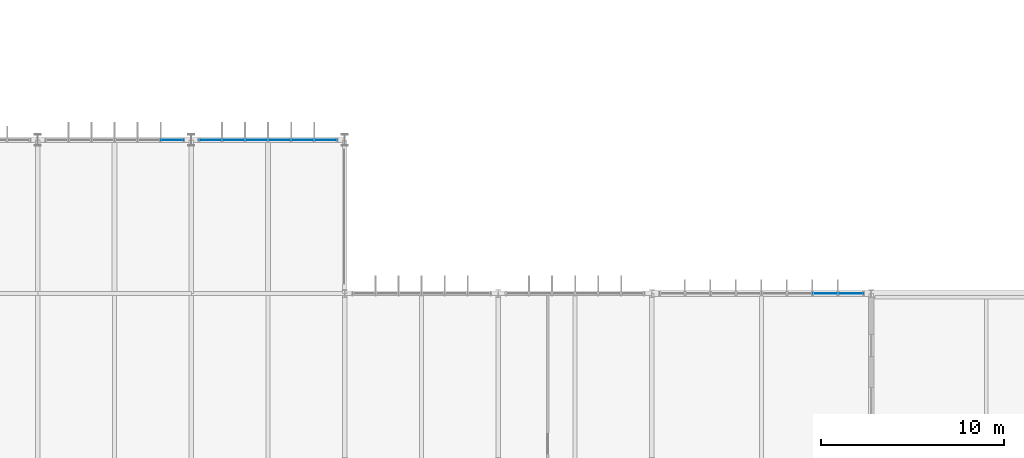
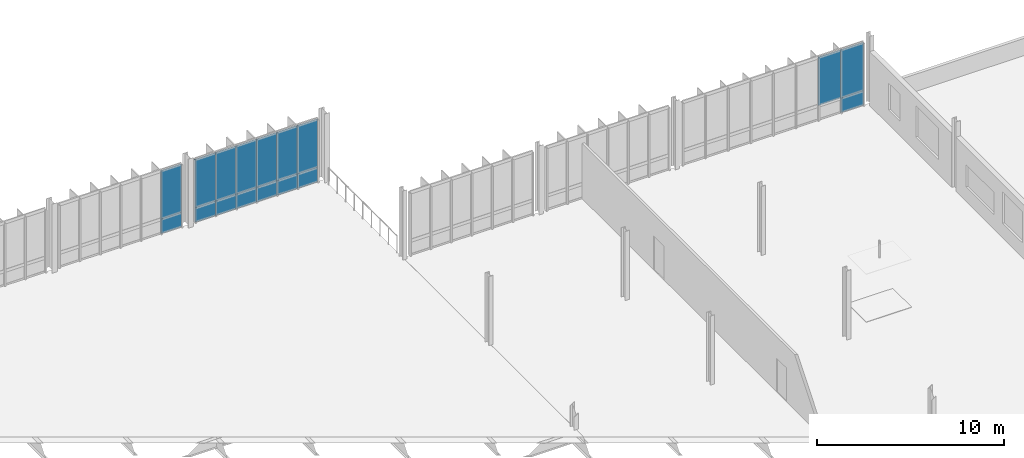
# One storey, part 95 of 139: 17 plates, 3 elements without a shape of their own.
"""IFC4 building model written with IfcOpenShell, lengths in metres."""

from ifc_helpers import new_model, si_unit, derived_unit, direction, frame, origin, origin_2d, place, context, subcontext, project, spatial, rectangle, extrude, material, layer, layer_set, type_object, element, aggregate, save


model = new_model("IFC4")

# Units and contexts
model_context = context("Model", 3, precision=1e-05, world=origin(), true_north=direction((0.0, 1.0)))
body_context = subcontext(model_context, "Body", "Model", "MODEL_VIEW")
ifc_project = project(units=[si_unit("LENGTHUNIT", "METRE"), si_unit("AREAUNIT", "SQUARE_METRE"), si_unit("VOLUMEUNIT", "CUBIC_METRE"), si_unit("PLANEANGLEUNIT", "RADIAN"), si_unit("MASSUNIT", "GRAM", prefix="KILO"), derived_unit("THERMALTRANSMITTANCEUNIT", [(si_unit("MASSUNIT", "GRAM", prefix="KILO"), 1), (si_unit("TIMEUNIT", "SECOND"), -3), (si_unit("THERMODYNAMICTEMPERATUREUNIT", "KELVIN"), -1)])], contexts=[model_context])

# Site, building, storey
site_placement = place(None, origin())
site = spatial("IfcSite", under=ifc_project, at=site_placement, CompositionType="ELEMENT")
building_placement = place(site_placement, origin())
building = spatial("IfcBuilding", under=site, at=building_placement, Name="Makaiwela Harbour Ferry Terminal", CompositionType="ELEMENT")
storey_placement = place(building_placement, frame((0.0, 0.0, 5.10009765625)))
storey = spatial("IfcBuildingStorey", under=building, at=storey_placement, Name="L01", CompositionType="ELEMENT", Elevation=5.10009765625)

# Curtain wall, plate
ifc_material_1 = material(Name="Marine anodised aluminium 6063-T6", Category="aluminium")
ifc_layer_1 = layer(ifc_material_1, 0.199951171875)
ifc_layer_set_1 = layer_set([ifc_layer_1], Name="Marine anodised aluminium 6063-T6")
curtain_wall_type_1 = type_object("IfcCurtainWallType", Name="ENV-CW-08", PredefinedType="USERDEFINED", material=ifc_layer_set_1)
curtain_wall_1_placement = place(storey_placement, origin())
curtain_wall_1 = element("IfcCurtainWall", 1, at=curtain_wall_1_placement, inside=storey, type_object=curtain_wall_type_1, Name="Unitised Curtain Wall CWA-091", ObjectType="UNITIZED CURTAIN WALL", PredefinedType="USERDEFINED")
ifc_material_2 = material(Name="Laminated hurricane-impact low-E insulated glazing", Category="glass")
ifc_layer_2 = layer(ifc_material_2, 0.031982421875)
ifc_layer_set_2 = layer_set([ifc_layer_2], Name="Laminated hurricane-impact low-E insulated glazing")
plate_type_1 = type_object("IfcPlateType", Name="CW-PNL-G12", PredefinedType="CURTAIN_PANEL", material=ifc_layer_set_2)
plate_1_placement = place(storey_placement, frame((129.14990234375, 103.39990234375, 0.949951171875), z_axis=(0.0, 0.0, 1.0), x_axis=(1.0, 0.0, 0.0)))
plate_1 = element("IfcPlate", 2, at=plate_1_placement, type_object=plate_type_1, Name="Glazed Vision Panel CWA-091-6G", PredefinedType="CURTAIN_PANEL", context=body_context, shape_type="SweptSolid", body=[
    extrude(rectangle(XDim=1.260009765625, YDim=0.031982421875, at=origin_2d()), origin(), (0.0, 0.0, 1.0), 3.14990234375),
])

# Curtain wall, plates
curtain_wall_2_placement = place(storey_placement, origin())
curtain_wall_2 = element("IfcCurtainWall", 3, at=curtain_wall_2_placement, inside=storey, type_object=curtain_wall_type_1, Name="Unitised Curtain Wall CWA-094", ObjectType="UNITIZED CURTAIN WALL", PredefinedType="USERDEFINED")
plate_2_placement = place(storey_placement, frame((131.25, 103.39990234375, 0.949951171875), z_axis=(0.0, 0.0, 1.0), x_axis=(1.0, 0.0, 0.0)))
plate_2 = element("IfcPlate", 4, at=plate_2_placement, type_object=plate_type_1, Name="Glazed Vision Panel CWA-094-1G", PredefinedType="CURTAIN_PANEL", context=body_context, shape_type="SweptSolid", body=[
    extrude(rectangle(XDim=1.260009765625, YDim=0.031982421875, at=origin_2d()), origin(), (0.0, 0.0, 1.0), 3.14990234375),
])
plate_3_placement = place(storey_placement, frame((132.510009765625, 103.39990234375, 0.949951171875), z_axis=(0.0, 0.0, 1.0), x_axis=(1.0, 0.0, 0.0)))
plate_3 = element("IfcPlate", 5, at=plate_3_placement, type_object=plate_type_1, Name="Glazed Vision Panel CWA-094-2G", PredefinedType="CURTAIN_PANEL", context=body_context, shape_type="SweptSolid", body=[
    extrude(rectangle(XDim=1.260009765625, YDim=0.031982421875, at=origin_2d()), origin(), (0.0, 0.0, 1.0), 3.14990234375),
])
plate_4_placement = place(storey_placement, frame((133.77001953125, 103.39990234375, 0.949951171875), z_axis=(0.0, 0.0, 1.0), x_axis=(1.0, 0.0, 0.0)))
plate_4 = element("IfcPlate", 6, at=plate_4_placement, type_object=plate_type_1, Name="Glazed Vision Panel CWA-094-3G", PredefinedType="CURTAIN_PANEL", context=body_context, shape_type="SweptSolid", body=[
    extrude(rectangle(XDim=1.260009765625, YDim=0.031982421875, at=origin_2d()), origin(), (0.0, 0.0, 1.0), 3.14990234375),
])
plate_5_placement = place(storey_placement, frame((135.030029296875, 103.39990234375, 0.949951171875), z_axis=(0.0, 0.0, 1.0), x_axis=(1.0, 0.0, 0.0)))
plate_5 = element("IfcPlate", 7, at=plate_5_placement, type_object=plate_type_1, Name="Glazed Vision Panel CWA-094-4G", PredefinedType="CURTAIN_PANEL", context=body_context, shape_type="SweptSolid", body=[
    extrude(rectangle(XDim=1.260009765625, YDim=0.031982421875, at=origin_2d()), origin(), (0.0, 0.0, 1.0), 3.14990234375),
])
plate_6_placement = place(storey_placement, frame((136.2900390625, 103.39990234375, 0.949951171875), z_axis=(0.0, 0.0, 1.0), x_axis=(1.0, 0.0, 0.0)))
plate_6 = element("IfcPlate", 8, at=plate_6_placement, type_object=plate_type_1, Name="Glazed Vision Panel CWA-094-5G", PredefinedType="CURTAIN_PANEL", context=body_context, shape_type="SweptSolid", body=[
    extrude(rectangle(XDim=1.260009765625, YDim=0.031982421875, at=origin_2d()), origin(), (0.0, 0.0, 1.0), 3.14990234375),
])
plate_7_placement = place(storey_placement, frame((137.550048828125, 103.39990234375, 0.949951171875), z_axis=(0.0, 0.0, 1.0), x_axis=(1.0, 0.0, 0.0)))
plate_7 = element("IfcPlate", 9, at=plate_7_placement, type_object=plate_type_1, Name="Glazed Vision Panel CWA-094-6G", PredefinedType="CURTAIN_PANEL", context=body_context, shape_type="SweptSolid", body=[
    extrude(rectangle(XDim=1.260009765625, YDim=0.031982421875, at=origin_2d()), origin(), (0.0, 0.0, 1.0), 3.14990234375),
])

ifc_layer_3 = layer(ifc_material_1, 0.199951171875)
ifc_layer_set_3 = layer_set([ifc_layer_3], Name="Marine anodised aluminium 6063-T6")
curtain_wall_type_2 = type_object("IfcCurtainWallType", Name="ENV-CW-17", PredefinedType="USERDEFINED", material=ifc_layer_set_3)
curtain_wall_3_placement = place(storey_placement, origin())
curtain_wall_3 = element("IfcCurtainWall", 10, at=curtain_wall_3_placement, inside=storey, type_object=curtain_wall_type_2, Name="Unitised Curtain Wall CWA-129", ObjectType="UNITIZED CURTAIN WALL", PredefinedType="USERDEFINED")
ifc_layer_4 = layer(ifc_material_2, 0.031982421875)
ifc_layer_set_4 = layer_set([ifc_layer_4], Name="Laminated hurricane-impact low-E insulated glazing")
plate_type_2 = type_object("IfcPlateType", Name="CW-PNL-G23", PredefinedType="CURTAIN_PANEL", material=ifc_layer_set_4)
plate_8_placement = place(storey_placement, frame((164.887451171875, 95.0, 0.949951171875), z_axis=(0.0, 0.0, 1.0), x_axis=(1.0, 0.0, 0.0)))
plate_8 = element("IfcPlate", 11, at=plate_8_placement, type_object=plate_type_2, Name="Glazed Vision Panel CWA-129-7G", PredefinedType="CURTAIN_PANEL", context=body_context, shape_type="SweptSolid", body=[
    extrude(rectangle(XDim=1.39501953125, YDim=0.031982421875, at=origin_2d()), origin(), (0.0, 0.0, 1.0), 3.14990234375),
])
plate_9_placement = place(storey_placement, frame((166.282470703125, 95.0, 0.949951171875), z_axis=(0.0, 0.0, 1.0), x_axis=(1.0, 0.0, 0.0)))
plate_9 = element("IfcPlate", 12, at=plate_9_placement, type_object=plate_type_2, Name="Glazed Vision Panel CWA-129-8G", PredefinedType="CURTAIN_PANEL", context=body_context, shape_type="SweptSolid", body=[
    extrude(rectangle(XDim=1.39501953125, YDim=0.031982421875, at=origin_2d()), origin(), (0.0, 0.0, 1.0), 3.14990234375),
])

# Plate
ifc_material_3 = material(Name="Insulated marine aluminium spandrel panel", Category="aluminium")
ifc_layer_5 = layer(ifc_material_3, 0.048095703125)
ifc_layer_set_5 = layer_set([ifc_layer_5], Name="Insulated marine aluminium spandrel panel")
plate_type_3 = type_object("IfcPlateType", Name="CW-PNL-S11", PredefinedType="CURTAIN_PANEL", material=ifc_layer_set_5)
plate_10_placement = place(storey_placement, frame((129.14990234375, 103.39990234375, 0.0), z_axis=(0.0, 0.0, 1.0), x_axis=(1.0, 0.0, 0.0)))
plate_10 = element("IfcPlate", 13, at=plate_10_placement, type_object=plate_type_3, Name="Spandrel Panel CWA-091-6S", PredefinedType="CURTAIN_PANEL", context=body_context, shape_type="SweptSolid", body=[
    extrude(rectangle(XDim=1.260009765625, YDim=0.048095703125, at=origin_2d()), origin(), (0.0, 0.0, 1.0), 0.949951171875),
])

aggregate(curtain_wall_1, [plate_10, plate_1])

plate_11_placement = place(storey_placement, frame((131.25, 103.39990234375, 0.0), z_axis=(0.0, 0.0, 1.0), x_axis=(1.0, 0.0, 0.0)))
plate_11 = element("IfcPlate", 14, at=plate_11_placement, type_object=plate_type_3, Name="Spandrel Panel CWA-094-1S", PredefinedType="CURTAIN_PANEL", context=body_context, shape_type="SweptSolid", body=[
    extrude(rectangle(XDim=1.260009765625, YDim=0.048095703125, at=origin_2d()), origin(), (0.0, 0.0, 1.0), 0.949951171875),
])

plate_12_placement = place(storey_placement, frame((132.510009765625, 103.39990234375, 0.0), z_axis=(0.0, 0.0, 1.0), x_axis=(1.0, 0.0, 0.0)))
plate_12 = element("IfcPlate", 15, at=plate_12_placement, type_object=plate_type_3, Name="Spandrel Panel CWA-094-2S", PredefinedType="CURTAIN_PANEL", context=body_context, shape_type="SweptSolid", body=[
    extrude(rectangle(XDim=1.260009765625, YDim=0.048095703125, at=origin_2d()), origin(), (0.0, 0.0, 1.0), 0.949951171875),
])

plate_13_placement = place(storey_placement, frame((133.77001953125, 103.39990234375, 0.0), z_axis=(0.0, 0.0, 1.0), x_axis=(1.0, 0.0, 0.0)))
plate_13 = element("IfcPlate", 16, at=plate_13_placement, type_object=plate_type_3, Name="Spandrel Panel CWA-094-3S", PredefinedType="CURTAIN_PANEL", context=body_context, shape_type="SweptSolid", body=[
    extrude(rectangle(XDim=1.260009765625, YDim=0.048095703125, at=origin_2d()), origin(), (0.0, 0.0, 1.0), 0.949951171875),
])

plate_14_placement = place(storey_placement, frame((135.030029296875, 103.39990234375, 0.0), z_axis=(0.0, 0.0, 1.0), x_axis=(1.0, 0.0, 0.0)))
plate_14 = element("IfcPlate", 17, at=plate_14_placement, type_object=plate_type_3, Name="Spandrel Panel CWA-094-4S", PredefinedType="CURTAIN_PANEL", context=body_context, shape_type="SweptSolid", body=[
    extrude(rectangle(XDim=1.260009765625, YDim=0.048095703125, at=origin_2d()), origin(), (0.0, 0.0, 1.0), 0.949951171875),
])

plate_15_placement = place(storey_placement, frame((136.2900390625, 103.39990234375, 0.0), z_axis=(0.0, 0.0, 1.0), x_axis=(1.0, 0.0, 0.0)))
plate_15 = element("IfcPlate", 18, at=plate_15_placement, type_object=plate_type_3, Name="Spandrel Panel CWA-094-5S", PredefinedType="CURTAIN_PANEL", context=body_context, shape_type="SweptSolid", body=[
    extrude(rectangle(XDim=1.260009765625, YDim=0.048095703125, at=origin_2d()), origin(), (0.0, 0.0, 1.0), 0.949951171875),
])

plate_16_placement = place(storey_placement, frame((137.550048828125, 103.39990234375, 0.0), z_axis=(0.0, 0.0, 1.0), x_axis=(1.0, 0.0, 0.0)))
plate_16 = element("IfcPlate", 19, at=plate_16_placement, type_object=plate_type_3, Name="Spandrel Panel CWA-094-6S", PredefinedType="CURTAIN_PANEL", context=body_context, shape_type="SweptSolid", body=[
    extrude(rectangle(XDim=1.260009765625, YDim=0.048095703125, at=origin_2d()), origin(), (0.0, 0.0, 1.0), 0.949951171875),
])

aggregate(curtain_wall_2, [plate_11, plate_2, plate_12, plate_3, plate_13, plate_4, plate_14, plate_5, plate_15, plate_6, plate_16, plate_7])

ifc_layer_6 = layer(ifc_material_3, 0.048095703125)
ifc_layer_set_6 = layer_set([ifc_layer_6], Name="Insulated marine aluminium spandrel panel")
plate_type_4 = type_object("IfcPlateType", Name="CW-PNL-S21", PredefinedType="CURTAIN_PANEL", material=ifc_layer_set_6)
plate_17_placement = place(storey_placement, frame((166.282470703125, 95.0, 0.0), z_axis=(0.0, 0.0, 1.0), x_axis=(1.0, 0.0, 0.0)))
plate_17 = element("IfcPlate", 20, at=plate_17_placement, type_object=plate_type_4, Name="Spandrel Panel CWA-129-8S", PredefinedType="CURTAIN_PANEL", context=body_context, shape_type="SweptSolid", body=[
    extrude(rectangle(XDim=1.39501953125, YDim=0.048095703125, at=origin_2d()), origin(), (0.0, 0.0, 1.0), 0.949951171875),
])

aggregate(curtain_wall_3, [plate_8, plate_17, plate_9])

save(model, "model.ifc")
